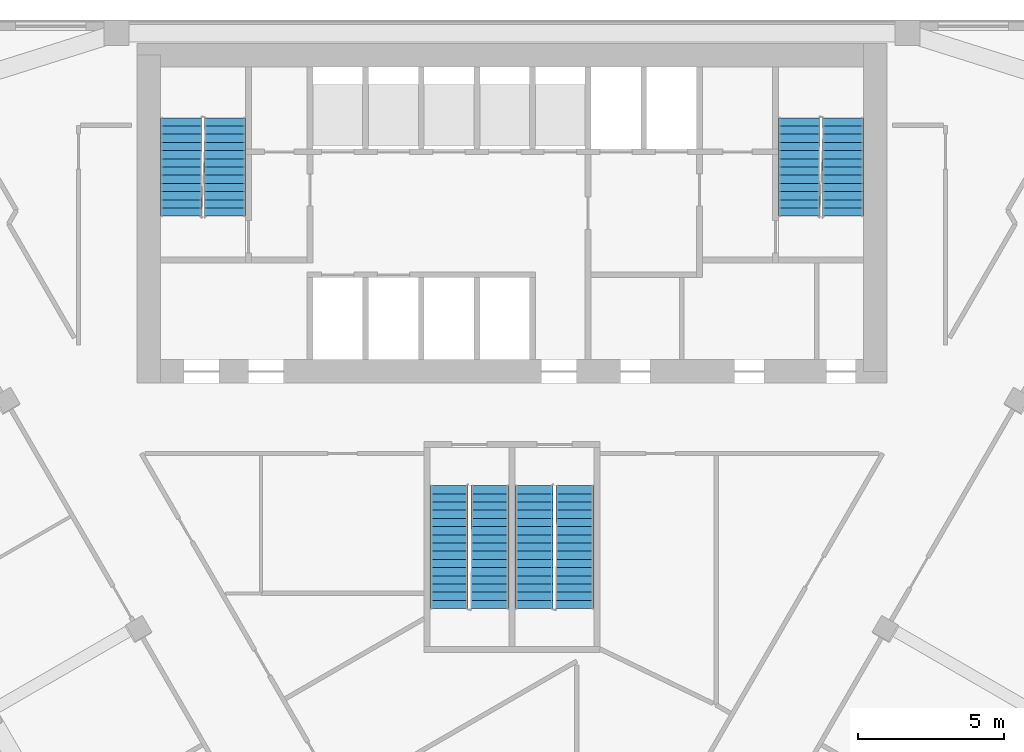
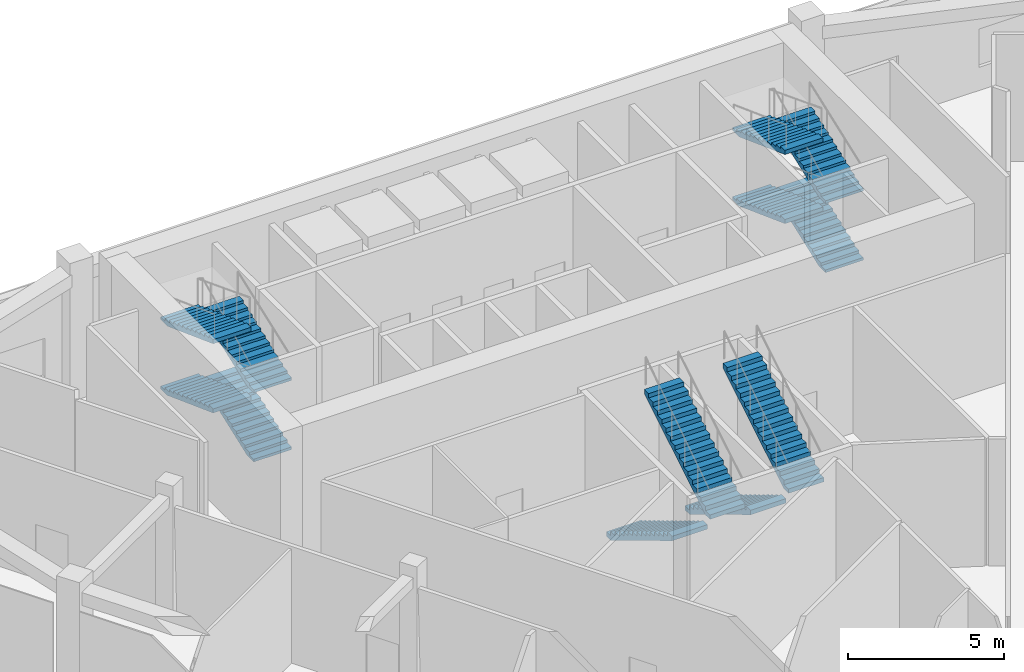
# One storey, part 10 of 12: 12 stair flights, 4 elements without a shape of their own.
"""IFC4 building model written with IfcOpenShell, lengths in metres."""

from ifc_helpers import new_model, si_unit, direction, frame, origin, place, context, subcontext, project, spatial, polyline, outline, extrude, material, type_object, element, aggregate, save


model = new_model("IFC4")

# Units and contexts
model_context = context("Model", 3, precision=1e-05, world=origin(), true_north=direction((0.0, 1.0)))
body_context = subcontext(model_context, "Body", "Model", "MODEL_VIEW")
ifc_project = project(units=[si_unit("LENGTHUNIT", "METRE"), si_unit("AREAUNIT", "SQUARE_METRE"), si_unit("VOLUMEUNIT", "CUBIC_METRE"), si_unit("PLANEANGLEUNIT", "RADIAN"), si_unit("MASSUNIT", "GRAM", prefix="KILO")], contexts=[model_context])

# Site, building, storey
site_placement = place(None, origin())
site = spatial("IfcSite", under=ifc_project, at=site_placement, CompositionType="ELEMENT")
building_placement = place(site_placement, origin())
building = spatial("IfcBuilding", under=site, at=building_placement, Name="Altiplano Prism Tower", CompositionType="ELEMENT")
storey_placement = place(building_placement, frame((0.0, 0.0, 118.800048828125)))
storey = spatial("IfcBuildingStorey", under=building, at=storey_placement, Name="L30", CompositionType="ELEMENT", Elevation=118.800048828125)

# Stair, stair flights
ifc_material = material(Name="Concrete C40/50", Category="concrete")
stair_type_1 = type_object("IfcStairType", Name="Exit stair 1400", PredefinedType="HALF_TURN_STAIR", material=ifc_material)
stair_1_placement = place(storey_placement, origin())
stair_1 = element("IfcStair", 1, at=stair_1_placement, inside=storey, type_object=stair_type_1, Name="L30 Exit Stair 1", PredefinedType="HALF_TURN_STAIR")
stair_flight_type = type_object("IfcStairFlightType", Name="Stair flight concrete 150", PredefinedType="STRAIGHT", material=ifc_material)
stair_flight_1_placement = place(storey_placement, frame((75.199951171875, 98.300048828125, 0.0), z_axis=(0.0, 0.0, 1.0), x_axis=(0.0, 1.0, 0.0)))
stair_flight_1 = element("IfcStairFlight", 2, at=stair_flight_1_placement, type_object=stair_flight_type, Name="ST1 flight 1", NumberOfRisers=13, NumberOfTreads=12, PredefinedType="STRAIGHT", RiserHeight=0.103846154, TreadLength=0.28, context=body_context, shape_type="SweptSolid", body=[
    extrude(outline(polyline([(0.0, 0.0), (0.0, 0.103759765625), (0.280029296875, 0.103759765625), (0.280029296875, 0.207763671875), (0.56005859375, 0.207763671875), (0.56005859375, 0.3115234375), (0.840087890625, 0.3115234375), (0.840087890625, 0.415283203125), (1.1201171875, 0.415283203125), (1.1201171875, 0.519287109375), (1.39990234375, 0.519287109375), (1.39990234375, 0.623046875), (1.679931640625, 0.623046875), (1.679931640625, 0.726806640625), (1.9599609375, 0.726806640625), (1.9599609375, 0.830810546875), (2.239990234375, 0.830810546875), (2.239990234375, 0.9345703125), (2.52001953125, 0.9345703125), (2.52001953125, 1.03857421875), (2.800048828125, 1.03857421875), (2.800048828125, 1.142333984375), (3.080078125, 1.142333984375), (3.080078125, 1.24609375), (3.360107421875, 1.24609375), (3.360107421875, 1.35009765625), (3.360107421875, 1.086181640625), (0.43115234375, 0.0), (0.0, 0.0)])), frame((0.0, 0.699951171875, 0.0), z_axis=(0.0, -1.0, 0.0), x_axis=(1.0, 0.0, 0.0)), (0.0, 0.0, 1.0), 1.39990234375),
])
stair_flight_2_placement = place(storey_placement, frame((73.699951171875, 101.659912109375, 1.349853515625), z_axis=(0.0, 0.0, 1.0), x_axis=(0.0, -1.0, 0.0)))
stair_flight_2 = element("IfcStairFlight", 3, at=stair_flight_2_placement, type_object=stair_flight_type, Name="ST1 flight 2", NumberOfRisers=13, NumberOfTreads=12, PredefinedType="STRAIGHT", RiserHeight=0.103846154, TreadLength=0.28, context=body_context, shape_type="SweptSolid", body=[
    extrude(outline(polyline([(0.0, 0.0), (0.0, 0.103759765625), (0.280029296875, 0.103759765625), (0.280029296875, 0.207763671875), (0.56005859375, 0.207763671875), (0.56005859375, 0.3115234375), (0.840087890625, 0.3115234375), (0.840087890625, 0.415283203125), (1.1201171875, 0.415283203125), (1.1201171875, 0.519287109375), (1.39990234375, 0.519287109375), (1.39990234375, 0.623046875), (1.679931640625, 0.623046875), (1.679931640625, 0.726806640625), (1.9599609375, 0.726806640625), (1.9599609375, 0.830810546875), (2.239990234375, 0.830810546875), (2.239990234375, 0.9345703125), (2.52001953125, 0.9345703125), (2.52001953125, 1.03857421875), (2.800048828125, 1.03857421875), (2.800048828125, 1.142333984375), (3.080078125, 1.142333984375), (3.080078125, 1.24609375), (3.360107421875, 1.24609375), (3.360107421875, 1.35009765625), (3.360107421875, 1.086181640625), (0.43115234375, 0.0), (0.0, 0.0)])), frame((0.0, 0.699951171875, 0.0), z_axis=(0.0, -1.0, 0.0), x_axis=(1.0, 0.0, 0.0)), (0.0, 0.0, 1.0), 1.39990234375),
])
stair_flight_3_placement = place(storey_placement, frame((75.199951171875, 98.300048828125, 2.699951171875), z_axis=(0.0, 0.0, 1.0), x_axis=(0.0, 1.0, 0.0)))
stair_flight_3 = element("IfcStairFlight", 4, at=stair_flight_3_placement, type_object=stair_flight_type, Name="ST1 flight 3", NumberOfRisers=13, NumberOfTreads=12, PredefinedType="STRAIGHT", RiserHeight=0.103846154, TreadLength=0.28, context=body_context, shape_type="SweptSolid", body=[
    extrude(outline(polyline([(0.0, 0.0), (0.0, 0.103759765625), (0.280029296875, 0.103759765625), (0.280029296875, 0.207763671875), (0.56005859375, 0.207763671875), (0.56005859375, 0.3115234375), (0.840087890625, 0.3115234375), (0.840087890625, 0.415283203125), (1.1201171875, 0.415283203125), (1.1201171875, 0.519287109375), (1.39990234375, 0.519287109375), (1.39990234375, 0.623046875), (1.679931640625, 0.623046875), (1.679931640625, 0.726806640625), (1.9599609375, 0.726806640625), (1.9599609375, 0.830810546875), (2.239990234375, 0.830810546875), (2.239990234375, 0.9345703125), (2.52001953125, 0.9345703125), (2.52001953125, 1.03857421875), (2.800048828125, 1.03857421875), (2.800048828125, 1.142333984375), (3.080078125, 1.142333984375), (3.080078125, 1.24609375), (3.360107421875, 1.24609375), (3.360107421875, 1.35009765625), (3.360107421875, 1.086181640625), (0.43115234375, 0.0), (0.0, 0.0)])), frame((0.0, 0.699951171875, 0.0), z_axis=(0.0, -1.0, 0.0), x_axis=(1.0, 0.0, 0.0)), (0.0, 0.0, 1.0), 1.39990234375),
])
stair_flight_4_placement = place(storey_placement, frame((73.699951171875, 101.659912109375, 4.050048828125), z_axis=(0.0, 0.0, 1.0), x_axis=(0.0, -1.0, 0.0)))
stair_flight_4 = element("IfcStairFlight", 5, at=stair_flight_4_placement, type_object=stair_flight_type, Name="ST1 flight 4", NumberOfRisers=13, NumberOfTreads=12, PredefinedType="STRAIGHT", RiserHeight=0.103846154, TreadLength=0.28, context=body_context, shape_type="SweptSolid", body=[
    extrude(outline(polyline([(0.0, 0.0), (0.0, 0.103759765625), (0.280029296875, 0.103759765625), (0.280029296875, 0.207763671875), (0.56005859375, 0.207763671875), (0.56005859375, 0.3115234375), (0.840087890625, 0.3115234375), (0.840087890625, 0.415283203125), (1.1201171875, 0.415283203125), (1.1201171875, 0.519287109375), (1.39990234375, 0.519287109375), (1.39990234375, 0.623046875), (1.679931640625, 0.623046875), (1.679931640625, 0.726806640625), (1.9599609375, 0.726806640625), (1.9599609375, 0.830810546875), (2.239990234375, 0.830810546875), (2.239990234375, 0.9345703125), (2.52001953125, 0.9345703125), (2.52001953125, 1.03857421875), (2.800048828125, 1.03857421875), (2.800048828125, 1.142333984375), (3.080078125, 1.142333984375), (3.080078125, 1.24609375), (3.360107421875, 1.24609375), (3.360107421875, 1.35009765625), (3.360107421875, 1.086181640625), (0.43115234375, 0.0), (0.0, 0.0)])), frame((0.0, 0.699951171875, 0.0), z_axis=(0.0, -1.0, 0.0), x_axis=(1.0, 0.0, 0.0)), (0.0, 0.0, 1.0), 1.39990234375),
])
aggregate(stair_1, [stair_flight_1, stair_flight_2, stair_flight_3, stair_flight_4])

stair_2_placement = place(storey_placement, origin())
stair_2 = element("IfcStair", 6, at=stair_2_placement, inside=storey, type_object=stair_type_1, Name="L30 Exit Stair 2", PredefinedType="HALF_TURN_STAIR")
stair_flight_5_placement = place(storey_placement, frame((96.300048828125, 98.300048828125, 0.0), z_axis=(0.0, 0.0, 1.0), x_axis=(0.0, 1.0, 0.0)))
stair_flight_5 = element("IfcStairFlight", 7, at=stair_flight_5_placement, type_object=stair_flight_type, Name="ST2 flight 1", NumberOfRisers=13, NumberOfTreads=12, PredefinedType="STRAIGHT", RiserHeight=0.103846154, TreadLength=0.28, context=body_context, shape_type="SweptSolid", body=[
    extrude(outline(polyline([(0.0, 0.0), (0.0, 0.103759765625), (0.280029296875, 0.103759765625), (0.280029296875, 0.207763671875), (0.56005859375, 0.207763671875), (0.56005859375, 0.3115234375), (0.840087890625, 0.3115234375), (0.840087890625, 0.415283203125), (1.1201171875, 0.415283203125), (1.1201171875, 0.519287109375), (1.39990234375, 0.519287109375), (1.39990234375, 0.623046875), (1.679931640625, 0.623046875), (1.679931640625, 0.726806640625), (1.9599609375, 0.726806640625), (1.9599609375, 0.830810546875), (2.239990234375, 0.830810546875), (2.239990234375, 0.9345703125), (2.52001953125, 0.9345703125), (2.52001953125, 1.03857421875), (2.800048828125, 1.03857421875), (2.800048828125, 1.142333984375), (3.080078125, 1.142333984375), (3.080078125, 1.24609375), (3.360107421875, 1.24609375), (3.360107421875, 1.35009765625), (3.360107421875, 1.086181640625), (0.43115234375, 0.0), (0.0, 0.0)])), frame((0.0, 0.699951171875, 0.0), z_axis=(0.0, -1.0, 0.0), x_axis=(1.0, 0.0, 0.0)), (0.0, 0.0, 1.0), 1.39990234375),
])
stair_flight_6_placement = place(storey_placement, frame((94.800048828125, 101.659912109375, 1.349853515625), z_axis=(0.0, 0.0, 1.0), x_axis=(0.0, -1.0, 0.0)))
stair_flight_6 = element("IfcStairFlight", 8, at=stair_flight_6_placement, type_object=stair_flight_type, Name="ST2 flight 2", NumberOfRisers=13, NumberOfTreads=12, PredefinedType="STRAIGHT", RiserHeight=0.103846154, TreadLength=0.28, context=body_context, shape_type="SweptSolid", body=[
    extrude(outline(polyline([(0.0, 0.0), (0.0, 0.103759765625), (0.280029296875, 0.103759765625), (0.280029296875, 0.207763671875), (0.56005859375, 0.207763671875), (0.56005859375, 0.3115234375), (0.840087890625, 0.3115234375), (0.840087890625, 0.415283203125), (1.1201171875, 0.415283203125), (1.1201171875, 0.519287109375), (1.39990234375, 0.519287109375), (1.39990234375, 0.623046875), (1.679931640625, 0.623046875), (1.679931640625, 0.726806640625), (1.9599609375, 0.726806640625), (1.9599609375, 0.830810546875), (2.239990234375, 0.830810546875), (2.239990234375, 0.9345703125), (2.52001953125, 0.9345703125), (2.52001953125, 1.03857421875), (2.800048828125, 1.03857421875), (2.800048828125, 1.142333984375), (3.080078125, 1.142333984375), (3.080078125, 1.24609375), (3.360107421875, 1.24609375), (3.360107421875, 1.35009765625), (3.360107421875, 1.086181640625), (0.43115234375, 0.0), (0.0, 0.0)])), frame((0.0, 0.699951171875, 0.0), z_axis=(0.0, -1.0, 0.0), x_axis=(1.0, 0.0, 0.0)), (0.0, 0.0, 1.0), 1.39990234375),
])
stair_flight_7_placement = place(storey_placement, frame((96.300048828125, 98.300048828125, 2.699951171875), z_axis=(0.0, 0.0, 1.0), x_axis=(0.0, 1.0, 0.0)))
stair_flight_7 = element("IfcStairFlight", 9, at=stair_flight_7_placement, type_object=stair_flight_type, Name="ST2 flight 3", NumberOfRisers=13, NumberOfTreads=12, PredefinedType="STRAIGHT", RiserHeight=0.103846154, TreadLength=0.28, context=body_context, shape_type="SweptSolid", body=[
    extrude(outline(polyline([(0.0, 0.0), (0.0, 0.103759765625), (0.280029296875, 0.103759765625), (0.280029296875, 0.207763671875), (0.56005859375, 0.207763671875), (0.56005859375, 0.3115234375), (0.840087890625, 0.3115234375), (0.840087890625, 0.415283203125), (1.1201171875, 0.415283203125), (1.1201171875, 0.519287109375), (1.39990234375, 0.519287109375), (1.39990234375, 0.623046875), (1.679931640625, 0.623046875), (1.679931640625, 0.726806640625), (1.9599609375, 0.726806640625), (1.9599609375, 0.830810546875), (2.239990234375, 0.830810546875), (2.239990234375, 0.9345703125), (2.52001953125, 0.9345703125), (2.52001953125, 1.03857421875), (2.800048828125, 1.03857421875), (2.800048828125, 1.142333984375), (3.080078125, 1.142333984375), (3.080078125, 1.24609375), (3.360107421875, 1.24609375), (3.360107421875, 1.35009765625), (3.360107421875, 1.086181640625), (0.43115234375, 0.0), (0.0, 0.0)])), frame((0.0, 0.699951171875, 0.0), z_axis=(0.0, -1.0, 0.0), x_axis=(1.0, 0.0, 0.0)), (0.0, 0.0, 1.0), 1.39990234375),
])
stair_flight_8_placement = place(storey_placement, frame((94.800048828125, 101.659912109375, 4.050048828125), z_axis=(0.0, 0.0, 1.0), x_axis=(0.0, -1.0, 0.0)))
stair_flight_8 = element("IfcStairFlight", 10, at=stair_flight_8_placement, type_object=stair_flight_type, Name="ST2 flight 4", NumberOfRisers=13, NumberOfTreads=12, PredefinedType="STRAIGHT", RiserHeight=0.103846154, TreadLength=0.28, context=body_context, shape_type="SweptSolid", body=[
    extrude(outline(polyline([(0.0, 0.0), (0.0, 0.103759765625), (0.280029296875, 0.103759765625), (0.280029296875, 0.207763671875), (0.56005859375, 0.207763671875), (0.56005859375, 0.3115234375), (0.840087890625, 0.3115234375), (0.840087890625, 0.415283203125), (1.1201171875, 0.415283203125), (1.1201171875, 0.519287109375), (1.39990234375, 0.519287109375), (1.39990234375, 0.623046875), (1.679931640625, 0.623046875), (1.679931640625, 0.726806640625), (1.9599609375, 0.726806640625), (1.9599609375, 0.830810546875), (2.239990234375, 0.830810546875), (2.239990234375, 0.9345703125), (2.52001953125, 0.9345703125), (2.52001953125, 1.03857421875), (2.800048828125, 1.03857421875), (2.800048828125, 1.142333984375), (3.080078125, 1.142333984375), (3.080078125, 1.24609375), (3.360107421875, 1.24609375), (3.360107421875, 1.35009765625), (3.360107421875, 1.086181640625), (0.43115234375, 0.0), (0.0, 0.0)])), frame((0.0, 0.699951171875, 0.0), z_axis=(0.0, -1.0, 0.0), x_axis=(1.0, 0.0, 0.0)), (0.0, 0.0, 1.0), 1.39990234375),
])
aggregate(stair_2, [stair_flight_5, stair_flight_6, stair_flight_7, stair_flight_8])

stair_type_2 = type_object("IfcStairType", Name="Exit stair 1300", PredefinedType="HALF_TURN_STAIR", material=ifc_material)
stair_3_placement = place(storey_placement, origin())
stair_3 = element("IfcStair", 11, at=stair_3_placement, inside=storey, type_object=stair_type_2, Name="L30 Exit Stair 3A", PredefinedType="HALF_TURN_STAIR")
stair_flight_9_placement = place(storey_placement, frame((82.85009765625, 89.10009765625, 0.0), z_axis=(0.0, 0.0, 1.0), x_axis=(0.0, -1.0, 0.0)))
stair_flight_9 = element("IfcStairFlight", 12, at=stair_flight_9_placement, type_object=stair_flight_type, Name="ST3A flight 1", NumberOfRisers=16, NumberOfTreads=15, PredefinedType="STRAIGHT", RiserHeight=0.16875, TreadLength=0.28, context=body_context, shape_type="SweptSolid", body=[
    extrude(outline(polyline([(0.0, 0.0), (0.0, 0.168701171875), (0.280029296875, 0.168701171875), (0.280029296875, 0.33740234375), (0.56005859375, 0.33740234375), (0.56005859375, 0.50634765625), (0.840087890625, 0.50634765625), (0.840087890625, 0.675048828125), (1.1201171875, 0.675048828125), (1.1201171875, 0.84375), (1.39990234375, 0.84375), (1.39990234375, 1.012451171875), (1.679931640625, 1.012451171875), (1.679931640625, 1.18115234375), (1.9599609375, 1.18115234375), (1.9599609375, 1.35009765625), (2.239990234375, 1.35009765625), (2.239990234375, 1.518798828125), (2.52001953125, 1.518798828125), (2.52001953125, 1.6875), (2.800048828125, 1.6875), (2.800048828125, 1.856201171875), (3.080078125, 1.856201171875), (3.080078125, 2.02490234375), (3.360107421875, 2.02490234375), (3.360107421875, 2.19384765625), (3.639892578125, 2.19384765625), (3.639892578125, 2.362548828125), (3.919921875, 2.362548828125), (3.919921875, 2.53125), (4.199951171875, 2.53125), (4.199951171875, 2.699951171875), (4.199951171875, 2.356201171875), (0.29052734375, 0.0), (0.0, 0.0)])), frame((0.0, 0.64990234375, 0.0), z_axis=(0.0, -1.0, 0.0), x_axis=(1.0, 0.0, 0.0)), (0.0, 0.0, 1.0), 1.300048828125),
])
stair_flight_10_placement = place(storey_placement, frame((84.25, 84.89990234375, 2.699951171875), z_axis=(0.0, 0.0, 1.0), x_axis=(0.0, 1.0, 0.0)))
stair_flight_10 = element("IfcStairFlight", 13, at=stair_flight_10_placement, type_object=stair_flight_type, Name="ST3A flight 2", NumberOfRisers=16, NumberOfTreads=15, PredefinedType="STRAIGHT", RiserHeight=0.16875, TreadLength=0.28, context=body_context, shape_type="SweptSolid", body=[
    extrude(outline(polyline([(0.0, 0.0), (0.0, 0.168701171875), (0.280029296875, 0.168701171875), (0.280029296875, 0.33740234375), (0.56005859375, 0.33740234375), (0.56005859375, 0.50634765625), (0.840087890625, 0.50634765625), (0.840087890625, 0.675048828125), (1.1201171875, 0.675048828125), (1.1201171875, 0.84375), (1.39990234375, 0.84375), (1.39990234375, 1.012451171875), (1.679931640625, 1.012451171875), (1.679931640625, 1.18115234375), (1.9599609375, 1.18115234375), (1.9599609375, 1.35009765625), (2.239990234375, 1.35009765625), (2.239990234375, 1.518798828125), (2.52001953125, 1.518798828125), (2.52001953125, 1.6875), (2.800048828125, 1.6875), (2.800048828125, 1.856201171875), (3.080078125, 1.856201171875), (3.080078125, 2.02490234375), (3.360107421875, 2.02490234375), (3.360107421875, 2.19384765625), (3.639892578125, 2.19384765625), (3.639892578125, 2.362548828125), (3.919921875, 2.362548828125), (3.919921875, 2.53125), (4.199951171875, 2.53125), (4.199951171875, 2.699951171875), (4.199951171875, 2.356201171875), (0.29052734375, 0.0), (0.0, 0.0)])), frame((0.0, 0.64990234375, 0.0), z_axis=(0.0, -1.0, 0.0), x_axis=(1.0, 0.0, 0.0)), (0.0, 0.0, 1.0), 1.300048828125),
])
aggregate(stair_3, [stair_flight_9, stair_flight_10])

stair_4_placement = place(storey_placement, origin())
stair_4 = element("IfcStair", 14, at=stair_4_placement, inside=storey, type_object=stair_type_2, Name="L30 Exit Stair 3B", PredefinedType="HALF_TURN_STAIR")
stair_flight_11_placement = place(storey_placement, frame((85.75, 89.10009765625, 0.0), z_axis=(0.0, 0.0, 1.0), x_axis=(0.0, -1.0, 0.0)))
stair_flight_11 = element("IfcStairFlight", 15, at=stair_flight_11_placement, type_object=stair_flight_type, Name="ST3B flight 1", NumberOfRisers=16, NumberOfTreads=15, PredefinedType="STRAIGHT", RiserHeight=0.16875, TreadLength=0.28, context=body_context, shape_type="SweptSolid", body=[
    extrude(outline(polyline([(0.0, 0.0), (0.0, 0.168701171875), (0.280029296875, 0.168701171875), (0.280029296875, 0.33740234375), (0.56005859375, 0.33740234375), (0.56005859375, 0.50634765625), (0.840087890625, 0.50634765625), (0.840087890625, 0.675048828125), (1.1201171875, 0.675048828125), (1.1201171875, 0.84375), (1.39990234375, 0.84375), (1.39990234375, 1.012451171875), (1.679931640625, 1.012451171875), (1.679931640625, 1.18115234375), (1.9599609375, 1.18115234375), (1.9599609375, 1.35009765625), (2.239990234375, 1.35009765625), (2.239990234375, 1.518798828125), (2.52001953125, 1.518798828125), (2.52001953125, 1.6875), (2.800048828125, 1.6875), (2.800048828125, 1.856201171875), (3.080078125, 1.856201171875), (3.080078125, 2.02490234375), (3.360107421875, 2.02490234375), (3.360107421875, 2.19384765625), (3.639892578125, 2.19384765625), (3.639892578125, 2.362548828125), (3.919921875, 2.362548828125), (3.919921875, 2.53125), (4.199951171875, 2.53125), (4.199951171875, 2.699951171875), (4.199951171875, 2.356201171875), (0.29052734375, 0.0), (0.0, 0.0)])), frame((0.0, 0.64990234375, 0.0), z_axis=(0.0, -1.0, 0.0), x_axis=(1.0, 0.0, 0.0)), (0.0, 0.0, 1.0), 1.300048828125),
])
stair_flight_12_placement = place(storey_placement, frame((87.14990234375, 84.89990234375, 2.699951171875), z_axis=(0.0, 0.0, 1.0), x_axis=(0.0, 1.0, 0.0)))
stair_flight_12 = element("IfcStairFlight", 16, at=stair_flight_12_placement, type_object=stair_flight_type, Name="ST3B flight 2", NumberOfRisers=16, NumberOfTreads=15, PredefinedType="STRAIGHT", RiserHeight=0.16875, TreadLength=0.28, context=body_context, shape_type="SweptSolid", body=[
    extrude(outline(polyline([(0.0, 0.0), (0.0, 0.168701171875), (0.280029296875, 0.168701171875), (0.280029296875, 0.33740234375), (0.56005859375, 0.33740234375), (0.56005859375, 0.50634765625), (0.840087890625, 0.50634765625), (0.840087890625, 0.675048828125), (1.1201171875, 0.675048828125), (1.1201171875, 0.84375), (1.39990234375, 0.84375), (1.39990234375, 1.012451171875), (1.679931640625, 1.012451171875), (1.679931640625, 1.18115234375), (1.9599609375, 1.18115234375), (1.9599609375, 1.35009765625), (2.239990234375, 1.35009765625), (2.239990234375, 1.518798828125), (2.52001953125, 1.518798828125), (2.52001953125, 1.6875), (2.800048828125, 1.6875), (2.800048828125, 1.856201171875), (3.080078125, 1.856201171875), (3.080078125, 2.02490234375), (3.360107421875, 2.02490234375), (3.360107421875, 2.19384765625), (3.639892578125, 2.19384765625), (3.639892578125, 2.362548828125), (3.919921875, 2.362548828125), (3.919921875, 2.53125), (4.199951171875, 2.53125), (4.199951171875, 2.699951171875), (4.199951171875, 2.356201171875), (0.29052734375, 0.0), (0.0, 0.0)])), frame((0.0, 0.64990234375, 0.0), z_axis=(0.0, -1.0, 0.0), x_axis=(1.0, 0.0, 0.0)), (0.0, 0.0, 1.0), 1.300048828125),
])
aggregate(stair_4, [stair_flight_11, stair_flight_12])

save(model, "model.ifc")
